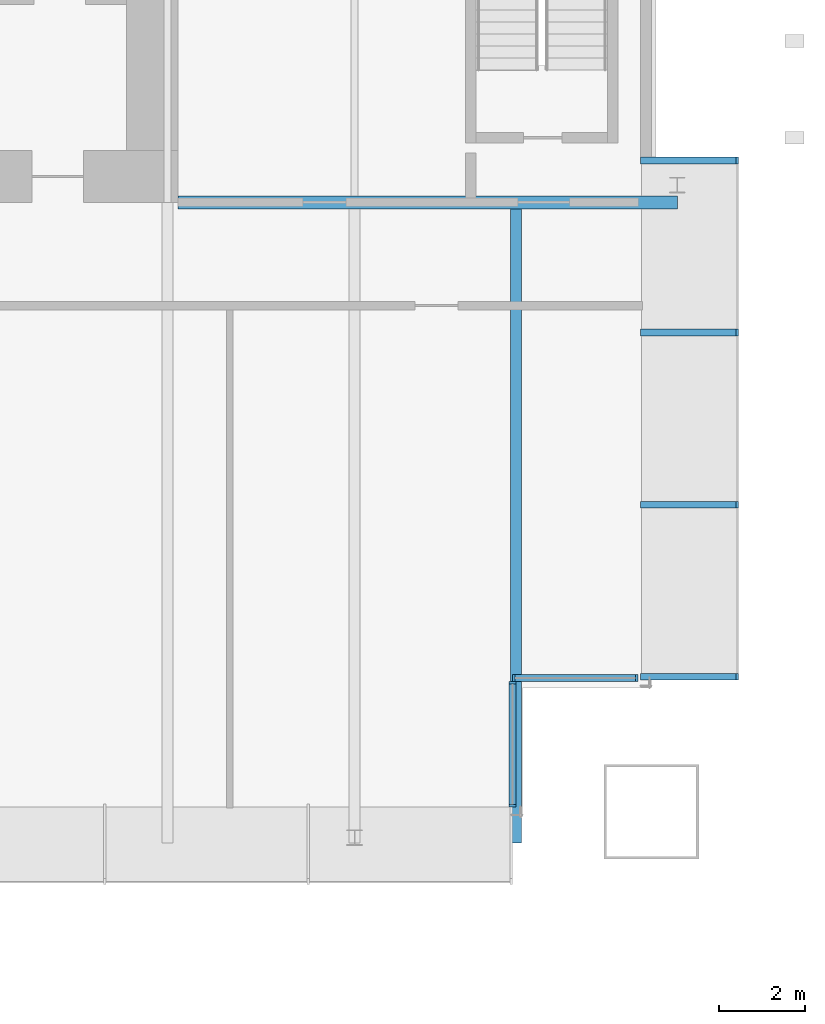
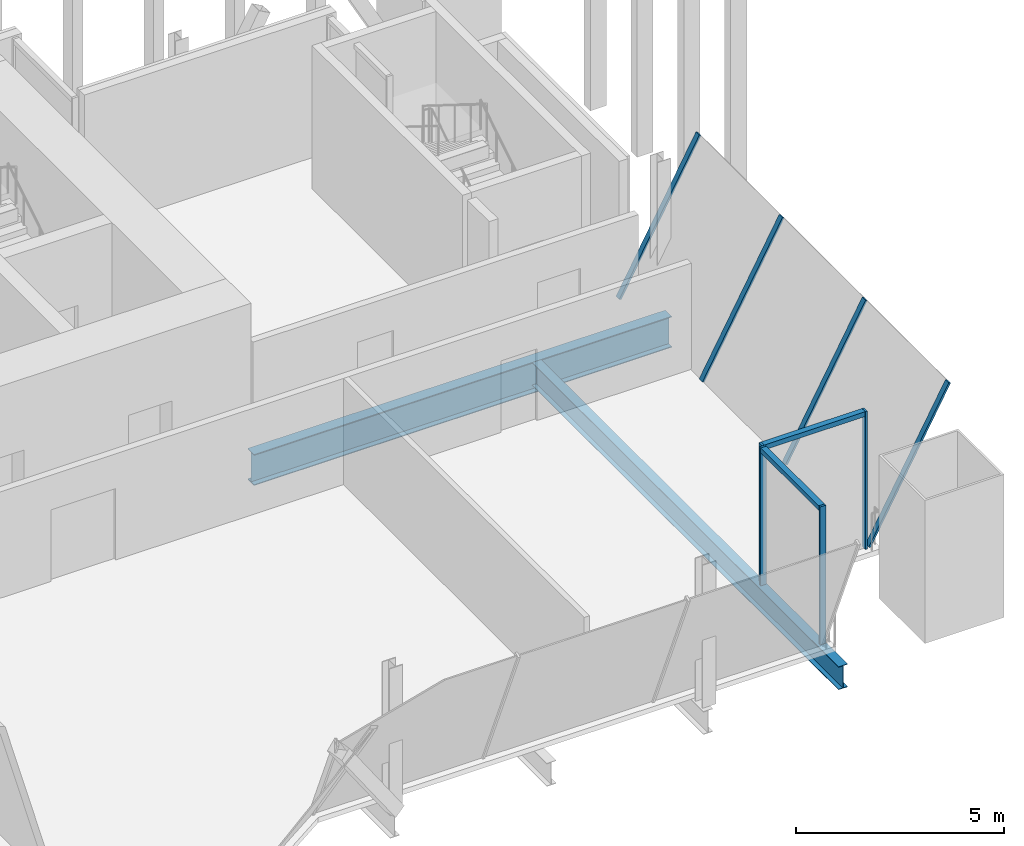
# One storey, part 19 of 28: 10 members, 2 beams, 3 elements without a shape of their own.
"""IFC4 building model written with IfcOpenShell, lengths in metres."""

from ifc_helpers import new_model, si_unit, direction, frame, origin, origin_2d, place, context, subcontext, project, spatial, rectangle, i_section, extrude, material, material_profile, profile_set, type_object, element, aggregate, save


model = new_model("IFC4")

# Units and contexts
model_context = context("Model", 3, precision=1e-05, world=origin(), true_north=direction((0.0, 1.0)))
body_context = subcontext(model_context, "Body", "Model", "MODEL_VIEW")
ifc_project = project(units=[si_unit("LENGTHUNIT", "METRE"), si_unit("AREAUNIT", "SQUARE_METRE"), si_unit("VOLUMEUNIT", "CUBIC_METRE"), si_unit("PLANEANGLEUNIT", "RADIAN"), si_unit("MASSUNIT", "GRAM", prefix="KILO")], contexts=[model_context])

# Site, building, storey
site_placement = place(None, origin())
site = spatial("IfcSite", under=ifc_project, at=site_placement, CompositionType="ELEMENT")
building_placement = place(site_placement, origin())
building = spatial("IfcBuilding", under=site, at=building_placement, Name="Bicima Exchange Tower", CompositionType="ELEMENT")
storey_placement = place(building_placement, frame((0.0, 0.0, 241.39990234375)))
storey = spatial("IfcBuildingStorey", under=building, at=storey_placement, Name="L54", CompositionType="ELEMENT", Elevation=241.39990234375)

# Beams
ifc_material_1 = material(Name="Steel ASTM A992 Gr 50", Category="steel")
ifc_material_profile_1 = material_profile(ifc_material_1, i_section(OverallWidth=0.3046875, OverallDepth=0.911865234375, WebThickness=0.015869140625, FlangeThickness=0.02392578125, at=origin_2d()))
ifc_profile_set_1 = profile_set([ifc_material_profile_1], Name="Steel ASTM A992 Gr 50")
beam_type_1 = type_object("IfcBeamType", Name="Core-line girder W36x150", PredefinedType="BEAM", material=ifc_profile_set_1)
beam_1_placement = place(storey_placement, frame((22.0, -13.0, -0.605712890625), z_axis=(1.0, 0.0, 0.0), x_axis=(0.0, 1.0, 0.0)))
element("IfcBeam", 1, at=beam_1_placement, inside=storey, type_object=beam_type_1, Name="Core-line girder", PredefinedType="BEAM", context=body_context, shape_type="SweptSolid", body=[
    extrude(i_section(OverallWidth=0.3046875, OverallDepth=0.911865234375, WebThickness=0.015869140625, FlangeThickness=0.02392578125, at=origin_2d()), origin(), (0.0, 0.0, 1.0), 11.60009765625),
])
ifc_material_profile_2 = material_profile(ifc_material_1, i_section(OverallWidth=0.25390625, OverallDepth=0.67822265625, WebThickness=0.01171875, FlangeThickness=0.016357421875, at=origin_2d()))
ifc_profile_set_2 = profile_set([ifc_material_profile_2], Name="Steel ASTM A992 Gr 50")
beam_type_2 = type_object("IfcBeamType", Name="Floor beam W27x84", PredefinedType="JOIST", material=ifc_profile_set_2)
beam_2_placement = place(storey_placement, frame((29.85009765625, -13.15234375, -0.489013671875), z_axis=(0.0, -1.0, 0.0), x_axis=(1.0, 0.0, 0.0)))
element("IfcBeam", 2, at=beam_2_placement, inside=storey, type_object=beam_type_2, Name="Floor beam", PredefinedType="JOIST", context=body_context, shape_type="SweptSolid", body=[
    extrude(i_section(OverallWidth=0.25390625, OverallDepth=0.67822265625, WebThickness=0.01171875, FlangeThickness=0.016357421875, at=origin_2d()), origin(), (0.0, 0.0, 1.0), 14.735595703125),
])

# Curtain wall, members
ifc_material_2 = material(Name="Anodised bronze aluminium", Category="aluminium")
curtain_wall_type = type_object("IfcCurtainWallType", Name="Front glass wall", PredefinedType="NOTDEFINED", material=ifc_material_2)
curtain_wall_1_placement = place(storey_placement, origin())
curtain_wall_1 = element("IfcCurtainWall", 3, at=curtain_wall_1_placement, inside=storey, type_object=curtain_wall_type, Name="Front glass wall L54 run 21", PredefinedType="NOTDEFINED")
ifc_material_profile_3 = material_profile(ifc_material_2, rectangle(XDim=0.159912109375, YDim=0.06005859375, at=origin_2d()))
ifc_profile_set_3 = profile_set([ifc_material_profile_3], Name="Anodised bronze aluminium")
member_type_1 = type_object("IfcMemberType", Name="Front glass wall mullion 60 x 160", PredefinedType="MULLION", material=ifc_profile_set_3)
member_1_placement = place(storey_placement, frame((29.77001953125, -27.028076171875, 0.0), z_axis=(0.0, 0.0, 1.0), x_axis=(-1.0, 0.0, 0.0)))
member_1 = element("IfcMember", 4, at=member_1_placement, type_object=member_type_1, Name="Front glass wall mullion 1", PredefinedType="MULLION", context=body_context, shape_type="SweptSolid", body=[
    extrude(rectangle(XDim=0.159912109375, YDim=0.06005859375, at=origin_2d()), origin(), (0.0, 0.0, 1.0), 4.050048828125),
])
member_2_placement = place(storey_placement, frame((29.77001953125, -24.16796875, 0.0), z_axis=(0.0, 0.0, 1.0), x_axis=(-1.0, 0.0, 0.0)))
member_2 = element("IfcMember", 5, at=member_2_placement, type_object=member_type_1, Name="Front glass wall mullion 2", PredefinedType="MULLION", context=body_context, shape_type="SweptSolid", body=[
    extrude(rectangle(XDim=0.159912109375, YDim=0.06005859375, at=origin_2d()), origin(), (0.0, 0.0, 1.0), 4.050048828125),
])

curtain_wall_2_placement = place(storey_placement, origin())
curtain_wall_2 = element("IfcCurtainWall", 6, at=curtain_wall_2_placement, inside=storey, type_object=curtain_wall_type, Name="Front glass wall L54 run 22", PredefinedType="NOTDEFINED")
member_3_placement = place(storey_placement, frame((29.800048828125, -24.05810546875, 0.0), z_axis=(0.0, 0.0, 1.0), x_axis=(0.0, 1.0, 0.0)))
member_3 = element("IfcMember", 7, at=member_3_placement, type_object=member_type_1, Name="Front glass wall mullion 1", PredefinedType="MULLION", context=body_context, shape_type="SweptSolid", body=[
    extrude(rectangle(XDim=0.159912109375, YDim=0.06005859375, at=origin_2d()), origin(), (0.0, 0.0, 1.0), 4.050048828125),
])
member_4_placement = place(storey_placement, frame((32.659912109375, -24.05810546875, 0.0), z_axis=(0.0, 0.0, 1.0), x_axis=(0.0, 1.0, 0.0)))
member_4 = element("IfcMember", 8, at=member_4_placement, type_object=member_type_1, Name="Front glass wall mullion 2", PredefinedType="MULLION", context=body_context, shape_type="SweptSolid", body=[
    extrude(rectangle(XDim=0.159912109375, YDim=0.06005859375, at=origin_2d()), origin(), (0.0, 0.0, 1.0), 4.050048828125),
])

curtain_wall_3_placement = place(storey_placement, origin())
curtain_wall_3 = element("IfcCurtainWall", 9, at=curtain_wall_3_placement, inside=storey, type_object=curtain_wall_type, Name="Canted glass wall L54 1.1", PredefinedType="NOTDEFINED")
member_5_placement = place(storey_placement, frame((32.77001953125, -24.028076171875, 0.0), z_axis=(0.481109119345, 0.0, 0.876660718455), x_axis=(0.0, -1.0, 0.0)))
member_5 = element("IfcMember", 10, at=member_5_placement, type_object=member_type_1, Name="Canted glass mullion 1", PredefinedType="MULLION", context=body_context, shape_type="SweptSolid", body=[
    extrude(rectangle(XDim=0.159912109375, YDim=0.06005859375, at=origin_2d()), origin(), (0.0, 0.0, 1.0), 4.619873046875),
])
member_6_placement = place(storey_placement, frame((32.77001953125, -20.02880859375, 0.0), z_axis=(0.481109119345, 0.0, 0.876660718455), x_axis=(0.0, -1.0, 0.0)))
member_6 = element("IfcMember", 11, at=member_6_placement, type_object=member_type_1, Name="Canted glass mullion 2", PredefinedType="MULLION", context=body_context, shape_type="SweptSolid", body=[
    extrude(rectangle(XDim=0.159912109375, YDim=0.06005859375, at=origin_2d()), origin(), (0.0, 0.0, 1.0), 4.619873046875),
])
member_7_placement = place(storey_placement, frame((32.77001953125, -16.029296875, 0.0), z_axis=(0.481109119345, 0.0, 0.876660718455), x_axis=(0.0, -1.0, 0.0)))
member_7 = element("IfcMember", 12, at=member_7_placement, type_object=member_type_1, Name="Canted glass mullion 3", PredefinedType="MULLION", context=body_context, shape_type="SweptSolid", body=[
    extrude(rectangle(XDim=0.159912109375, YDim=0.06005859375, at=origin_2d()), origin(), (0.0, 0.0, 1.0), 4.619873046875),
])
member_8_placement = place(storey_placement, frame((32.77001953125, -12.030029296875, 0.0), z_axis=(0.481109119345, 0.0, 0.876660718455), x_axis=(0.0, -1.0, 0.0)))
member_8 = element("IfcMember", 13, at=member_8_placement, type_object=member_type_1, Name="Canted glass mullion 4", PredefinedType="MULLION", context=body_context, shape_type="SweptSolid", body=[
    extrude(rectangle(XDim=0.159912109375, YDim=0.06005859375, at=origin_2d()), origin(), (0.0, 0.0, 1.0), 4.619873046875),
])
aggregate(curtain_wall_3, [member_5, member_6, member_7, member_8])

# Member
ifc_material_profile_4 = material_profile(ifc_material_2, rectangle(XDim=0.159912109375, YDim=0.139892578125, at=origin_2d()))
ifc_profile_set_4 = profile_set([ifc_material_profile_4], Name="Anodised bronze aluminium")
member_type_2 = type_object("IfcMemberType", Name="Front glass wall transom 140 x 160", PredefinedType="USERDEFINED", material=ifc_profile_set_4)
member_9_placement = place(storey_placement, frame((29.77001953125, -26.998046875, 3.97998046875), z_axis=(0.0, 1.0, 0.0), x_axis=(-1.0, 0.0, 0.0)))
member_9 = element("IfcMember", 14, at=member_9_placement, type_object=member_type_2, Name="Front glass wall transom 1.1", ObjectType="TRANSOM", PredefinedType="USERDEFINED", context=body_context, shape_type="SweptSolid", body=[
    extrude(rectangle(XDim=0.159912109375, YDim=0.139892578125, at=origin_2d()), origin(), (0.0, 0.0, 1.0), 2.800048828125),
])

aggregate(curtain_wall_1, [member_1, member_2, member_9])

member_10_placement = place(storey_placement, frame((29.830078125, -24.05810546875, 3.97998046875), z_axis=(1.0, 0.0, 0.0), x_axis=(0.0, 1.0, 0.0)))
member_10 = element("IfcMember", 15, at=member_10_placement, type_object=member_type_2, Name="Front glass wall transom 1.1", ObjectType="TRANSOM", PredefinedType="USERDEFINED", context=body_context, shape_type="SweptSolid", body=[
    extrude(rectangle(XDim=0.159912109375, YDim=0.139892578125, at=origin_2d()), origin(), (0.0, 0.0, 1.0), 2.7998046875),
])

aggregate(curtain_wall_2, [member_3, member_4, member_10])

save(model, "model.ifc")
